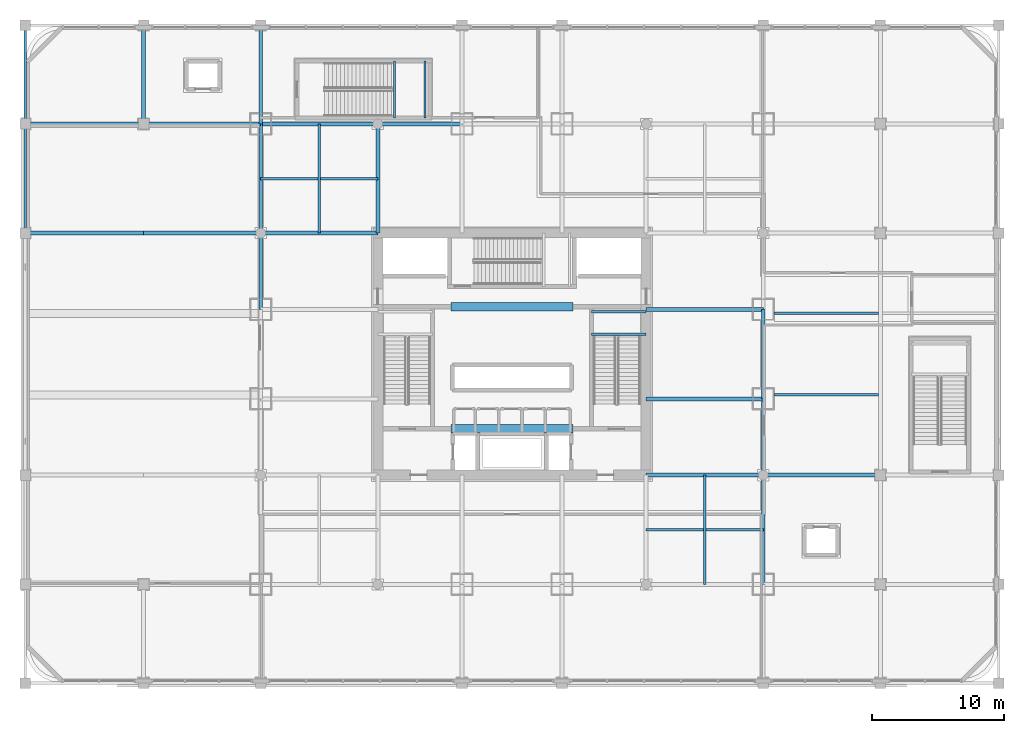
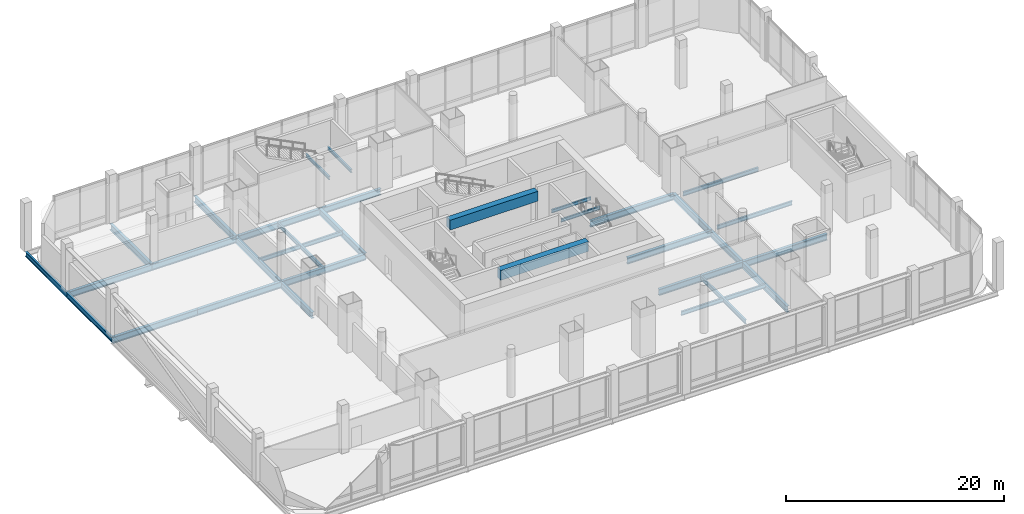
# One storey, part 9 of 35: 30 beams.
"""IFC4 building model written with IfcOpenShell, lengths in metres."""

from ifc_helpers import new_model, si_unit, direction, frame, origin, origin_2d, place, context, subcontext, project, spatial, rectangle, i_section, extrude, material, material_profile, profile_set, type_object, element, save


model = new_model("IFC4")

# Units and contexts
model_context = context("Model", 3, precision=1e-05, world=origin(), true_north=direction((0.0, 1.0)))
body_context = subcontext(model_context, "Body", "Model", "MODEL_VIEW")
ifc_project = project(units=[si_unit("LENGTHUNIT", "METRE"), si_unit("AREAUNIT", "SQUARE_METRE"), si_unit("VOLUMEUNIT", "CUBIC_METRE"), si_unit("PLANEANGLEUNIT", "RADIAN"), si_unit("MASSUNIT", "GRAM", prefix="KILO")], contexts=[model_context])

# Site, building, storey
site_placement = place(None, origin())
site = spatial("IfcSite", under=ifc_project, at=site_placement, CompositionType="ELEMENT")
building_placement = place(site_placement, origin())
building = spatial("IfcBuilding", under=site, at=building_placement, Name="Punatoya Terracotta Tower", CompositionType="ELEMENT")
storey_placement = place(building_placement, frame((0.0, 0.0, 16.800048828125)))
storey = spatial("IfcBuildingStorey", under=building, at=storey_placement, Name="L03", CompositionType="ELEMENT", Elevation=16.800048828125)

# Beams
ifc_material_1 = material(Name="Steel S355", Category="steel")
ifc_material_profile_1 = material_profile(ifc_material_1, i_section(OverallWidth=0.300048828125, OverallDepth=0.699951171875, WebThickness=0.01708984375, FlangeThickness=0.031982421875, FilletRadius=0.01806640625, at=origin_2d()))
ifc_profile_set_1 = profile_set([ifc_material_profile_1], Name="Steel S355")
beam_type_1 = type_object("IfcBeamType", Name="BM-PRI-700", PredefinedType="BEAM", material=ifc_profile_set_1)
beam_1_placement = place(storey_placement, frame((-19.10009765625, 17.5, -0.630126953125), z_axis=(1.0, 0.0, 0.0), x_axis=(0.0, 1.0, 0.0)))
element("IfcBeam", 1, at=beam_1_placement, inside=storey, type_object=beam_type_1, Name="BM-L03-RG-N1", PredefinedType="BEAM", context=body_context, shape_type="SweptSolid", body=[
    extrude(i_section(OverallWidth=0.300048828125, OverallDepth=0.699951171875, WebThickness=0.01708984375, FlangeThickness=0.031982421875, FilletRadius=0.01806640625, at=origin_2d()), origin(), (0.0, 0.0, 1.0), 15.300048828125),
])
for number, where, z_axis, x_axis, name in (
    (2, (-19.10009765625, 3.39990234375, -0.630126953125), (0.0, 1.0, 0.0), (-1.0, 0.0, 0.0), "BM-L03-RG-W3"),
    (3, (19.10009765625, -17.5, -0.630126953125), (0.0, 1.0, 0.0), (-1.0, 0.0, 0.0), "BM-L03-RG-E1"),
):
    element("IfcBeam", number, at=place(storey_placement, frame(where, z_axis=z_axis, x_axis=x_axis)), inside=storey, type_object=beam_type_1, Name=name, PredefinedType="BEAM", context=body_context, shape_type="SweptSolid", body=[
        extrude(i_section(OverallWidth=0.300048828125, OverallDepth=0.699951171875, WebThickness=0.01708984375, FlangeThickness=0.031982421875, FilletRadius=0.01806640625, at=origin_2d()), origin(), (0.0, 0.0, 1.0), 14.10009765625),
    ])
beam_2_placement = place(storey_placement, frame((19.10009765625, -3.39990234375, -0.630126953125), z_axis=(0.0, 1.0, 0.0), x_axis=(-1.0, 0.0, 0.0)))
element("IfcBeam", 4, at=beam_2_placement, inside=storey, type_object=beam_type_1, Name="BM-L03-RG-E2", PredefinedType="BEAM", context=body_context, shape_type="SweptSolid", body=[
    extrude(i_section(OverallWidth=0.300048828125, OverallDepth=0.699951171875, WebThickness=0.01708984375, FlangeThickness=0.031982421875, FilletRadius=0.01806640625, at=origin_2d()), origin(), (0.0, 0.0, 1.0), 6.7998046875),
])
for number, where, z_axis, x_axis, name in (
    (5, (-19.10009765625, 9.199951171875, -0.630126953125), (1.0, 0.0, 0.0), (0.0, 1.0, 0.0), "BM-L03-PR-WN"),
    (6, (10.199951171875, -9.199951171875, -0.630126953125), (1.0, 0.0, 0.0), (0.0, 1.0, 0.0), "BM-L03-PR-ES"),
    (7, (10.199951171875, -3.39990234375, -0.630126953125), (1.0, 0.0, 0.0), (0.0, 1.0, 0.0), "BM-L03-PR-ED"),
    (8, (10.199951171875, 3.39990234375, -0.630126953125), (1.0, 0.0, 0.0), (0.0, 1.0, 0.0), "BM-L03-PR-EE"),
):
    element("IfcBeam", number, at=place(storey_placement, frame(where, z_axis=z_axis, x_axis=x_axis)), inside=storey, type_object=beam_type_1, Name=name, PredefinedType="BEAM", context=body_context, shape_type="SweptSolid", body=[
        extrude(i_section(OverallWidth=0.300048828125, OverallDepth=0.699951171875, WebThickness=0.01708984375, FlangeThickness=0.031982421875, FilletRadius=0.01806640625, at=origin_2d()), origin(), (0.0, 0.0, 1.0), 8.900146484375),
    ])
beam_3_placement = place(storey_placement, frame((-10.199951171875, 9.199951171875, -0.630126953125), z_axis=(0.0, 1.0, 0.0), x_axis=(-1.0, 0.0, 0.0)))
element("IfcBeam", 9, at=beam_3_placement, inside=storey, type_object=beam_type_1, Name="BM-L03-PR-N1", PredefinedType="BEAM", context=body_context, shape_type="SweptSolid", body=[
    extrude(i_section(OverallWidth=0.300048828125, OverallDepth=0.699951171875, WebThickness=0.01708984375, FlangeThickness=0.031982421875, FilletRadius=0.01806640625, at=origin_2d()), origin(), (0.0, 0.0, 1.0), 8.300048828125),
])
beam_4_placement = place(storey_placement, frame((-37.0, 9.199951171875, -0.630126953125), z_axis=(1.0, 0.0, 0.0), x_axis=(0.0, 1.0, 0.0)))
element("IfcBeam", 10, at=beam_4_placement, inside=storey, type_object=beam_type_1, Name="BM-L03-FW1", PredefinedType="BEAM", context=body_context, shape_type="SweptSolid", body=[
    extrude(i_section(OverallWidth=0.300048828125, OverallDepth=0.699951171875, WebThickness=0.01708984375, FlangeThickness=0.031982421875, FilletRadius=0.01806640625, at=origin_2d()), origin(), (0.0, 0.0, 1.0), 9.0),
])
beam_5_placement = place(storey_placement, frame((-28.0, 9.199951171875, -0.630126953125), z_axis=(1.0, 0.0, 0.0), x_axis=(0.0, 1.0, 0.0)))
element("IfcBeam", 11, at=beam_5_placement, inside=storey, type_object=beam_type_1, Name="BM-L03-FW2", PredefinedType="BEAM", context=body_context, shape_type="SweptSolid", body=[
    extrude(i_section(OverallWidth=0.300048828125, OverallDepth=0.699951171875, WebThickness=0.01708984375, FlangeThickness=0.031982421875, FilletRadius=0.01806640625, at=origin_2d()), origin(), (0.0, 0.0, 1.0), 8.89990234375),
])
beam_6_placement = place(storey_placement, frame((-37.0, 17.5, -0.630126953125), z_axis=(1.0, 0.0, 0.0), x_axis=(0.0, 1.0, 0.0)))
element("IfcBeam", 12, at=beam_6_placement, inside=storey, type_object=beam_type_1, Name="BM-L03-GW1", PredefinedType="BEAM", context=body_context, shape_type="SweptSolid", body=[
    extrude(i_section(OverallWidth=0.300048828125, OverallDepth=0.699951171875, WebThickness=0.01708984375, FlangeThickness=0.031982421875, FilletRadius=0.01806640625, at=origin_2d()), origin(), (0.0, 0.0, 1.0), 9.0),
])
beam_7_placement = place(storey_placement, frame((-28.0, 17.5, -0.630126953125), z_axis=(1.0, 0.0, 0.0), x_axis=(0.0, 1.0, 0.0)))
element("IfcBeam", 13, at=beam_7_placement, inside=storey, type_object=beam_type_1, Name="BM-L03-GW2", PredefinedType="BEAM", context=body_context, shape_type="SweptSolid", body=[
    extrude(i_section(OverallWidth=0.300048828125, OverallDepth=0.699951171875, WebThickness=0.01708984375, FlangeThickness=0.031982421875, FilletRadius=0.01806640625, at=origin_2d()), origin(), (0.0, 0.0, 1.0), 8.89990234375),
])
for number, where, z_axis, x_axis, name in (
    (14, (-28.0, 17.5, -0.630126953125), (0.0, 1.0, 0.0), (-1.0, 0.0, 0.0), "BM-L03-X28W-17"),
    (15, (-19.10009765625, 17.5, -0.630126953125), (0.0, 1.0, 0.0), (-1.0, 0.0, 0.0), "BM-L03-M19W-17"),
):
    element("IfcBeam", number, at=place(storey_placement, frame(where, z_axis=z_axis, x_axis=x_axis)), inside=storey, type_object=beam_type_1, Name=name, PredefinedType="BEAM", context=body_context, shape_type="SweptSolid", body=[
        extrude(i_section(OverallWidth=0.300048828125, OverallDepth=0.699951171875, WebThickness=0.01708984375, FlangeThickness=0.031982421875, FilletRadius=0.01806640625, at=origin_2d()), origin(), (0.0, 0.0, 1.0), 7.5),
    ])
beam_8_placement = place(storey_placement, frame((19.10009765625, -9.199951171875, -0.630126953125), z_axis=(1.0, 0.0, 0.0), x_axis=(0.0, 1.0, 0.0)))
element("IfcBeam", 16, at=beam_8_placement, inside=storey, type_object=beam_type_1, Name="BM-L03-CE1", PredefinedType="BEAM", context=body_context, shape_type="SweptSolid", body=[
    extrude(i_section(OverallWidth=0.300048828125, OverallDepth=0.699951171875, WebThickness=0.01708984375, FlangeThickness=0.031982421875, FilletRadius=0.01806640625, at=origin_2d()), origin(), (0.0, 0.0, 1.0), 8.89990234375),
])
ifc_material_2 = material(Name="Concrete C60/75", Category="concrete")
ifc_material_profile_2 = material_profile(ifc_material_2, rectangle(XDim=0.64990234375, YDim=1.10009765625, at=origin_2d()))
ifc_profile_set_2 = profile_set([ifc_material_profile_2], Name="Concrete C60/75")
beam_type_2 = type_object("IfcBeamType", Name="BM-RC-1100", PredefinedType="LINTEL", material=ifc_profile_set_2)
for number, where, z_axis, x_axis, name in (
    (17, (-4.64990234375, -5.679931640625, 4.469970703125), (1.0, 0.0, 0.0), (0.0, 1.0, 0.0), "L03 Core Coupling Lintel CSW"),
    (18, (-4.64990234375, 3.60009765625, 4.469970703125), (1.0, 0.0, 0.0), (0.0, 1.0, 0.0), "L03 Core Coupling Lintel CNW"),
):
    element("IfcBeam", number, at=place(storey_placement, frame(where, z_axis=z_axis, x_axis=x_axis)), inside=storey, type_object=beam_type_2, Name=name, PredefinedType="LINTEL", context=body_context, shape_type="SweptSolid", body=[
        extrude(rectangle(XDim=0.64990234375, YDim=1.10009765625, at=origin_2d()), origin(), (0.0, 0.0, 1.0), 9.2998046875),
    ])
ifc_material_profile_3 = material_profile(ifc_material_1, i_section(OverallWidth=0.169921875, OverallDepth=0.360107421875, WebThickness=0.008056640625, FlangeThickness=0.0126953125, FilletRadius=0.01806640625, at=origin_2d()))
ifc_profile_set_3 = profile_set([ifc_material_profile_3], Name="Steel S355")
beam_type_3 = type_object("IfcBeamType", Name="BM-SEC-360", PredefinedType="JOIST", material=ifc_profile_set_3)
for number, where, z_axis, x_axis, name in (
    (19, (6.050048828125, 1.52001953125, 2.320068359375), (1.0, 0.0, 0.0), (0.0, 1.0, 0.0), "BM-L03-ST-2-LD1A"),
    (20, (6.050048828125, 3.22998046875, 2.320068359375), (1.0, 0.0, 0.0), (0.0, 1.0, 0.0), "BM-L03-ST-2-LD1B"),
):
    element("IfcBeam", number, at=place(storey_placement, frame(where, z_axis=z_axis, x_axis=x_axis)), inside=storey, type_object=beam_type_3, Name=name, PredefinedType="JOIST", context=body_context, shape_type="SweptSolid", body=[
        extrude(i_section(OverallWidth=0.169921875, OverallDepth=0.360107421875, WebThickness=0.008056640625, FlangeThickness=0.0126953125, FilletRadius=0.01806640625, at=origin_2d()), origin(), (0.0, 0.0, 1.0), 4.14990234375),
    ])
for number, where, z_axis, x_axis, name in (
    (21, (-8.929931640625, 17.949951171875, 2.320068359375), (0.0, 1.0, 0.0), (-1.0, 0.0, 0.0), "BM-L03-ST-P1-LD1A"),
    (22, (-6.6201171875, 17.949951171875, 2.320068359375), (0.0, 1.0, 0.0), (-1.0, 0.0, 0.0), "BM-L03-ST-P1-LD1B"),
):
    element("IfcBeam", number, at=place(storey_placement, frame(where, z_axis=z_axis, x_axis=x_axis)), inside=storey, type_object=beam_type_3, Name=name, PredefinedType="JOIST", context=body_context, shape_type="SweptSolid", body=[
        extrude(i_section(OverallWidth=0.169921875, OverallDepth=0.360107421875, WebThickness=0.008056640625, FlangeThickness=0.0126953125, FilletRadius=0.01806640625, at=origin_2d()), origin(), (0.0, 0.0, 1.0), 4.35009765625),
    ])
ifc_material_profile_4 = material_profile(ifc_material_1, i_section(OverallWidth=0.18994140625, OverallDepth=0.449951171875, WebThickness=0.009521484375, FlangeThickness=0.0146484375, FilletRadius=0.01806640625, at=origin_2d()))
ifc_profile_set_4 = profile_set([ifc_material_profile_4], Name="Steel S355")
beam_type_4 = type_object("IfcBeamType", Name="BM-SEC-450", PredefinedType="JOIST", material=ifc_profile_set_4)
for number, where, z_axis, x_axis, name in (
    (23, (-19.10009765625, 13.35009765625, -0.505126953125), (1.0, 0.0, 0.0), (0.0, 1.0, 0.0), "BM-L03-SJN-1"),
    (24, (10.199951171875, -13.35009765625, -0.505126953125), (1.0, 0.0, 0.0), (0.0, 1.0, 0.0), "BM-L03-SJS-2"),
):
    element("IfcBeam", number, at=place(storey_placement, frame(where, z_axis=z_axis, x_axis=x_axis)), inside=storey, type_object=beam_type_4, Name=name, PredefinedType="JOIST", context=body_context, shape_type="SweptSolid", body=[
        extrude(i_section(OverallWidth=0.18994140625, OverallDepth=0.449951171875, WebThickness=0.009521484375, FlangeThickness=0.0146484375, FilletRadius=0.01806640625, at=origin_2d()), origin(), (0.0, 0.0, 1.0), 8.900146484375),
    ])
for number, where, z_axis, x_axis, name in (
    (25, (14.64990234375, -17.5, -0.505126953125), (0.0, 1.0, 0.0), (-1.0, 0.0, 0.0), "BM-L03-SJE-1"),
    (26, (-14.64990234375, 9.199951171875, -0.505126953125), (0.0, 1.0, 0.0), (-1.0, 0.0, 0.0), "BM-L03-SJW-2"),
):
    element("IfcBeam", number, at=place(storey_placement, frame(where, z_axis=z_axis, x_axis=x_axis)), inside=storey, type_object=beam_type_4, Name=name, PredefinedType="JOIST", context=body_context, shape_type="SweptSolid", body=[
        extrude(i_section(OverallWidth=0.18994140625, OverallDepth=0.449951171875, WebThickness=0.009521484375, FlangeThickness=0.0146484375, FilletRadius=0.01806640625, at=origin_2d()), origin(), (0.0, 0.0, 1.0), 8.300048828125),
    ])
for number, where, z_axis, x_axis, name in (
    (27, (19.89990234375, -3.10009765625, -0.505126953125), (1.0, 0.0, 0.0), (0.0, 1.0, 0.0), "BM-L03-WNGJ-E1--31"),
    (28, (19.89990234375, 3.10009765625, -0.505126953125), (1.0, 0.0, 0.0), (0.0, 1.0, 0.0), "BM-L03-WNGJ-E1-31"),
):
    element("IfcBeam", number, at=place(storey_placement, frame(where, z_axis=z_axis, x_axis=x_axis)), inside=storey, type_object=beam_type_4, Name=name, PredefinedType="JOIST", context=body_context, shape_type="SweptSolid", body=[
        extrude(i_section(OverallWidth=0.18994140625, OverallDepth=0.449951171875, WebThickness=0.009521484375, FlangeThickness=0.0146484375, FilletRadius=0.01806640625, at=origin_2d()), origin(), (0.0, 0.0, 1.0), 7.9501953125),
    ])
ifc_material_profile_5 = material_profile(ifc_material_1, i_section(OverallWidth=0.2099609375, OverallDepth=0.550048828125, WebThickness=0.010986328125, FlangeThickness=0.01708984375, FilletRadius=0.01806640625, at=origin_2d()))
ifc_profile_set_5 = profile_set([ifc_material_profile_5], Name="Steel S355")
beam_type_5 = type_object("IfcBeamType", Name="BM-SPN-550", PredefinedType="SPANDREL", material=ifc_profile_set_5)
beam_9_placement = place(storey_placement, frame((-37.0, 9.199951171875, -0.554931640625), z_axis=(0.0, 1.0, 0.0), x_axis=(-1.0, 0.0, 0.0)))
element("IfcBeam", 29, at=beam_9_placement, inside=storey, type_object=beam_type_5, Name="BM-L03-X37W-9", PredefinedType="SPANDREL", context=body_context, shape_type="SweptSolid", body=[
    extrude(i_section(OverallWidth=0.2099609375, OverallDepth=0.550048828125, WebThickness=0.010986328125, FlangeThickness=0.01708984375, FilletRadius=0.01806640625, at=origin_2d()), origin(), (0.0, 0.0, 1.0), 8.300048828125),
])
beam_10_placement = place(storey_placement, frame((-37.0, 17.5, -0.554931640625), z_axis=(0.0, 1.0, 0.0), x_axis=(-1.0, 0.0, 0.0)))
element("IfcBeam", 30, at=beam_10_placement, inside=storey, type_object=beam_type_5, Name="BM-L03-X37W-17", PredefinedType="SPANDREL", context=body_context, shape_type="SweptSolid", body=[
    extrude(i_section(OverallWidth=0.2099609375, OverallDepth=0.550048828125, WebThickness=0.010986328125, FlangeThickness=0.01708984375, FilletRadius=0.01806640625, at=origin_2d()), origin(), (0.0, 0.0, 1.0), 7.5),
])

save(model, "model.ifc")
